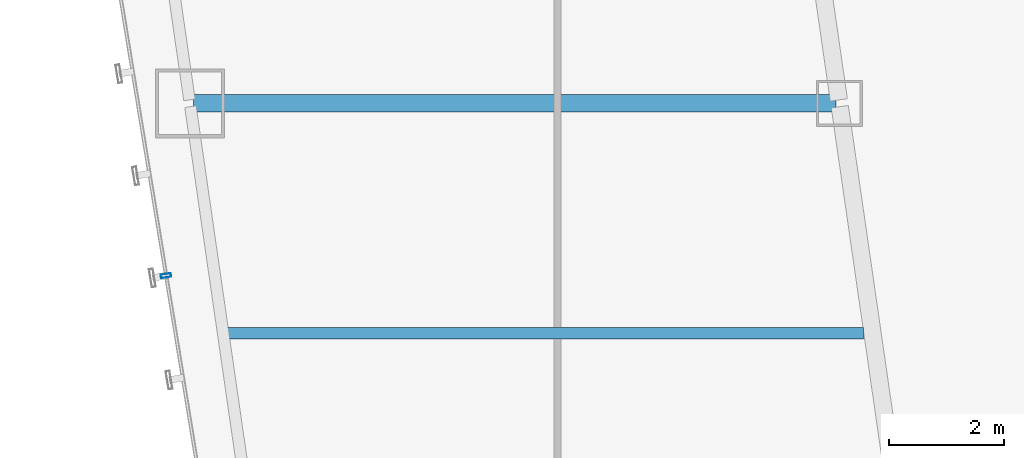
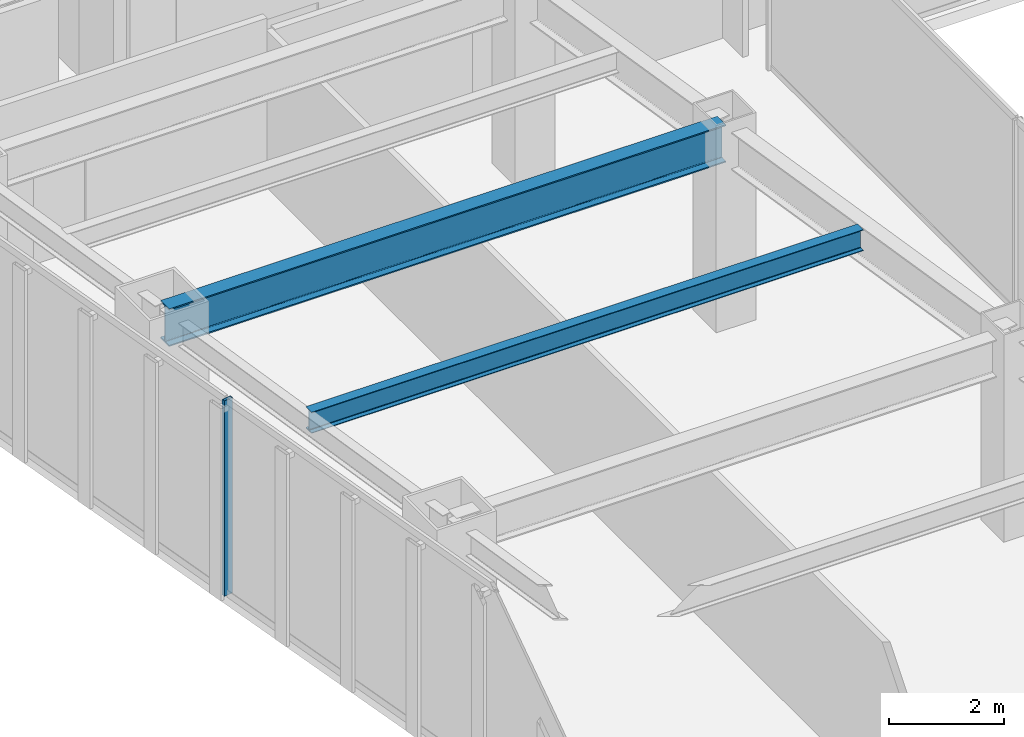
# One storey, part 11 of 47: 2 beams, 1 member, 1 element without a shape of its own.
"""IFC4 building model written with IfcOpenShell, lengths in metres."""

import ifcopenshell
import ifcopenshell.guid

model = None  # the IFC model being written
_history = None  # IfcOwnerHistory: only IFC2X3 demands one
_inside = {}  # id of a spatial element -> (the spatial element, [elements in it])
_under = {}  # id of a project, library or spatial element -> (it, [spatial elements below it])
_declared = {}  # id of a project -> (the project, [libraries it declares])
_typed = {}  # id of a type object -> (the type object, [elements of that type])
_made_of = {}  # id of a material, layer set ... -> (it, [elements and type objects made of it])


def new_model(schema):
    """Start an empty IFC model of exactly this schema.

    Asked for "IFC4X3", IfcOpenShell would pick the latest addendum, in which some entities
    have other attributes; the version numbers below select the first issue.
    IFC2X3 requires an IfcOwnerHistory on every rooted entity: one is made here for all.
    """
    global model, _history
    if schema == "IFC4X3":
        model = ifcopenshell.file(schema_version=(4, 3, 0, 0))
    else:
        model = ifcopenshell.file(schema=schema)
    _inside.clear()
    _under.clear()
    _declared.clear()
    _typed.clear()
    _made_of.clear()
    _history = None
    if model.schema == "IFC2X3":
        org = make("IfcOrganization", Name="unknown")
        user = make(
            "IfcPersonAndOrganization",
            ThePerson=make("IfcPerson", FamilyName="unknown"),
            TheOrganization=org,
        )
        app = make(
            "IfcApplication",
            ApplicationDeveloper=org,
            Version="unknown",
            ApplicationFullName="unknown",
            ApplicationIdentifier="unknown",
        )
        _history = make(
            "IfcOwnerHistory",
            OwningUser=user,
            OwningApplication=app,
            ChangeAction="ADDED",
            CreationDate=0,
        )
    return model


def make(cls, **values):
    """One entity of the class cls with the attributes given. An attribute that is None is left unset."""
    return model.create_entity(
        cls, **{name: value for name, value in values.items() if value is not None}
    )


def rooted(cls, **values):
    """An entity with a GlobalId (a new one), such as an element, a storey or a relation."""
    return make(cls, GlobalId=ifcopenshell.guid.new(), OwnerHistory=_history, **values)


def si_unit(unit_type, name, prefix=None):
    """IfcSIUnit, for example si_unit("LENGTHUNIT", "METRE", prefix="MILLI")."""
    return make("IfcSIUnit", UnitType=unit_type, Prefix=prefix, Name=name)


def assignment(units):
    """IfcUnitAssignment: the units of a project."""
    return None if units is None else make("IfcUnitAssignment", Units=units)


def point(xyz):
    """IfcCartesianPoint."""
    return None if xyz is None else make("IfcCartesianPoint", Coordinates=xyz)


def direction(xyz):
    """IfcDirection."""
    return None if xyz is None else make("IfcDirection", DirectionRatios=xyz)


def frame(location, z_axis=None, x_axis=None):
    """IfcAxis2Placement3D, a coordinate frame: its origin and axes. An axis left out is left unset."""
    return make(
        "IfcAxis2Placement3D",
        Location=point(location),
        Axis=direction(z_axis),
        RefDirection=direction(x_axis),
    )


def frame_2d(location, x_axis=None):
    """IfcAxis2Placement2D, a coordinate frame in the plane: its origin and x axis."""
    return make(
        "IfcAxis2Placement2D", Location=point(location), RefDirection=direction(x_axis)
    )


def origin():
    """The frame at (0, 0, 0) with its axes left unset."""
    return frame((0.0, 0.0, 0.0))


def origin_2d():
    """The frame at (0, 0) in the plane with its x axis left unset."""
    return frame_2d((0.0, 0.0))


def place(relative_to, where):
    """IfcLocalPlacement: puts the frame where relative to a parent placement (None: the world)."""
    return make(
        "IfcLocalPlacement", PlacementRelTo=relative_to, RelativePlacement=where
    )


def context(
    kind, dimensions, precision=None, world=None, true_north=None, identifier=None
):
    """IfcGeometricRepresentationContext, for example the 3D "Model" context."""
    return make(
        "IfcGeometricRepresentationContext",
        ContextIdentifier=identifier,
        ContextType=kind,
        CoordinateSpaceDimension=dimensions,
        Precision=precision,
        WorldCoordinateSystem=world,
        TrueNorth=true_north,
    )


def subcontext(parent, identifier, kind, view, scale=None):
    """IfcGeometricRepresentationSubContext, for example "Body" below "Model"."""
    return make(
        "IfcGeometricRepresentationSubContext",
        ContextIdentifier=identifier,
        ContextType=kind,
        ParentContext=parent,
        TargetScale=scale,
        TargetView=view,
    )


def project(units=None, contexts=None):
    """IfcProject with its units and contexts."""
    return rooted(
        "IfcProject",
        Name="project",
        RepresentationContexts=contexts,
        UnitsInContext=assignment(units),
    )


def spatial(cls, under=None, at=None, **own):
    """A site, building, storey or space (cls), placed at a placement, below another one or the project."""
    s = rooted(cls, ObjectPlacement=at, **own)
    if under is not None:
        _under.setdefault(under.id(), (under, []))[1].append(s)
    return s


def profile(cls, at=None, kind="AREA", **sizes):
    """A parametric profile (cls). Its sizes go by their IFC names, for example OverallWidth=200.0."""
    return make(cls, ProfileType=kind, Position=at, **sizes)


def hollow_rectangle(**sizes):
    """IfcRectangleHollowProfileDef."""
    return profile("IfcRectangleHollowProfileDef", **sizes)


def i_section(**sizes):
    """IfcIShapeProfileDef."""
    return profile("IfcIShapeProfileDef", **sizes)


def extrude(swept, where, along, depth):
    """IfcExtrudedAreaSolid: the profile swept, set in the frame where, extruded along a direction by depth."""
    return make(
        "IfcExtrudedAreaSolid",
        SweptArea=swept,
        Position=where,
        ExtrudedDirection=direction(along),
        Depth=depth,
    )


def shape(context_of_items, identifier, shape_type, items):
    """IfcShapeRepresentation: the items that make up one representation, for example the "Body"."""
    return make(
        "IfcShapeRepresentation",
        ContextOfItems=context_of_items,
        RepresentationIdentifier=identifier,
        RepresentationType=shape_type,
        Items=items,
    )


def material(Name=None, Category=None):
    """IfcMaterial."""
    return make("IfcMaterial", Name=Name, Category=Category)


def material_profile(
    of_material, cross_section, Name=None, Category=None, Priority=None
):
    """IfcMaterialProfile: a cross section and its material."""
    return make(
        "IfcMaterialProfile",
        Name=Name,
        Material=of_material,
        Profile=cross_section,
        Priority=Priority,
        Category=Category,
    )


def profile_set(profiles, Name=None, composite=None):
    """IfcMaterialProfileSet."""
    return make(
        "IfcMaterialProfileSet",
        Name=Name,
        MaterialProfiles=profiles,
        CompositeProfile=composite,
    )


def made_of(thing, what):
    """Note that an element or type object is made of a material, layer set ...; save() writes the relation."""
    if what is not None:
        _made_of.setdefault(what.id(), (what, []))[1].append(thing)
    return thing


def type_object(cls, material=None, **own):
    """A type object (cls), such as IfcWallType, which elements share."""
    return made_of(rooted(cls, **own), material)


def element(
    cls,
    number,
    at=None,
    inside=None,
    cuts=None,
    type_object=None,
    material=None,
    context=None,
    identifier="Body",
    shape_type=None,
    held_by="IfcProductDefinitionShape",
    body=None,
    shapes=None,
    **own,
):
    """One element of the class cls, such as IfcWall. Its Tag is "e" and its number.

    at: its placement. inside: the storey or other place that contains it. cuts: it is an
    opening in that element (IfcRelVoidsElement). A single representation is given by context,
    identifier, shape_type and body (its items); several are given by shapes. held_by: the class
    of the entity that holds the representations. save() writes the other relations.
    """
    e = rooted(cls, Tag="e%d" % number, ObjectPlacement=at, **own)
    if body is not None:
        shapes = [shape(context, identifier, shape_type, body)]
    if shapes is not None:
        e.Representation = make(held_by, Representations=shapes)
    if inside is not None:
        _inside.setdefault(inside.id(), (inside, []))[1].append(e)
    if cuts is not None:
        rooted(
            "IfcRelVoidsElement", RelatingBuildingElement=cuts, RelatedOpeningElement=e
        )
    if type_object is not None:
        _typed.setdefault(type_object.id(), (type_object, []))[1].append(e)
    return made_of(e, material)


def aggregate(whole, parts):
    """IfcRelAggregates: a whole, such as a stair, and the parts it consists of."""
    return rooted("IfcRelAggregates", RelatingObject=whole, RelatedObjects=parts)


def save(model, path):
    """Write the relations noted so far, then the file.

    IfcRelAggregates (storeys below a building ...), IfcRelContainedInSpatialStructure (elements
    in a storey), IfcRelDefinesByType, IfcRelAssociatesMaterial and IfcRelDeclares: one each for
    every whole, place, type object, material and project.
    """
    for whole, parts in _under.values():
        aggregate(whole, parts)
    for where, things in _inside.values():
        rooted(
            "IfcRelContainedInSpatialStructure",
            RelatedElements=things,
            RelatingStructure=where,
        )
    for kind, things in _typed.values():
        rooted("IfcRelDefinesByType", RelatedObjects=things, RelatingType=kind)
    for what, things in _made_of.values():
        rooted("IfcRelAssociatesMaterial", RelatedObjects=things, RelatingMaterial=what)
    for by, libraries in _declared.values():
        rooted("IfcRelDeclares", RelatingContext=by, RelatedDefinitions=libraries)
    model.write(path)


model = new_model("IFC4")

# Units and contexts
model_context = context("Model", 3, precision=1e-05, world=origin(), true_north=direction((0.0, 1.0)))
body_context = subcontext(model_context, "Body", "Model", "MODEL_VIEW")
ifc_project = project(units=[si_unit("LENGTHUNIT", "METRE"), si_unit("AREAUNIT", "SQUARE_METRE"), si_unit("VOLUMEUNIT", "CUBIC_METRE"), si_unit("PLANEANGLEUNIT", "RADIAN"), si_unit("MASSUNIT", "GRAM", prefix="KILO")], contexts=[model_context])

# Site, building, storey
site_placement = place(None, origin())
site = spatial("IfcSite", under=ifc_project, at=site_placement, CompositionType="ELEMENT")
building_placement = place(site_placement, origin())
building = spatial("IfcBuilding", under=site, at=building_placement, Name="Saevonmaru Cultural Tower", CompositionType="ELEMENT")
storey_placement = place(building_placement, frame((0.0, 0.0, 56.0)))
storey = spatial("IfcBuildingStorey", under=building, at=storey_placement, Name="L11", CompositionType="ELEMENT", Elevation=56.0)

# Beams
ifc_material_1 = material(Name="Steel SM420", Category="steel")
ifc_material_profile_1 = material_profile(ifc_material_1, i_section(OverallWidth=0.300048828125, OverallDepth=0.800048828125, WebThickness=0.013916015625, FlangeThickness=0.02587890625, FilletRadius=0.028076171875, at=origin_2d()), Name="H-800x300x14x26")
ifc_profile_set_1 = profile_set([ifc_material_profile_1], Name="Steel SM420")
beam_type_1 = type_object("IfcBeamType", Name="BM-G-H800", PredefinedType="BEAM", material=ifc_profile_set_1)
beam_1_placement = place(storey_placement, frame((8.376953125, 32.0, 3.75), z_axis=(1.0, 0.0, 0.0), x_axis=(0.0, 1.0, 0.0)))
element("IfcBeam", 1, at=beam_1_placement, inside=storey, type_object=beam_type_1, Name="L11 West Wing Transverse Girder 5", PredefinedType="BEAM", context=body_context, shape_type="SweptSolid", body=[
    extrude(i_section(OverallWidth=0.300048828125, OverallDepth=0.800048828125, WebThickness=0.013916015625, FlangeThickness=0.02587890625, FilletRadius=0.028076171875, at=origin_2d()), origin(), (0.0, 0.0, 1.0), 11.179931640625),
])
ifc_material_2 = material(Name="Steel SM355", Category="steel")
ifc_material_profile_2 = material_profile(ifc_material_2, i_section(OverallWidth=0.199951171875, OverallDepth=0.449951171875, WebThickness=0.009033203125, FlangeThickness=0.013916015625, FilletRadius=0.01806640625, at=origin_2d()), Name="H-450x200x9x14")
ifc_profile_set_2 = profile_set([ifc_material_profile_2], Name="Steel SM355")
beam_type_2 = type_object("IfcBeamType", Name="BM-J-H450", PredefinedType="JOIST", material=ifc_profile_set_2)
beam_2_placement = place(storey_placement, frame((8.95458984375, 28.0, 3.925048828125), z_axis=(1.0, 0.0, 0.0), x_axis=(0.0, 1.0, 0.0)))
element("IfcBeam", 2, at=beam_2_placement, inside=storey, type_object=beam_type_2, Name="L11 West Wing Floor Joist 4", PredefinedType="JOIST", context=body_context, shape_type="SweptSolid", body=[
    extrude(i_section(OverallWidth=0.199951171875, OverallDepth=0.449951171875, WebThickness=0.009033203125, FlangeThickness=0.013916015625, FilletRadius=0.01806640625, at=origin_2d()), origin(), (0.0, 0.0, 1.0), 11.08203125),
])

# Curtain wall, member
ifc_material_3 = material(Name="Satin Bronze Anodised Aluminium", Category="aluminium")
curtain_wall_type = type_object("IfcCurtainWallType", Name="CW-TYP-A", PredefinedType="NOTDEFINED", material=ifc_material_3)
curtain_wall_placement = place(storey_placement, origin())
curtain_wall = element("IfcCurtainWall", 3, at=curtain_wall_placement, inside=storey, type_object=curtain_wall_type, Name="L11 Unitised Curtain Wall E12", PredefinedType="NOTDEFINED")
ifc_material_profile_3 = material_profile(ifc_material_3, hollow_rectangle(XDim=0.06494140625, YDim=0.179931640625, WallThickness=0.00390625, at=origin_2d()), Name="ALU-MULL-180x65x4")
ifc_profile_set_3 = profile_set([ifc_material_profile_3], Name="Satin Bronze Anodised Aluminium")
member_type = type_object("IfcMemberType", Name="ML-CW-180x65", PredefinedType="MULLION", material=ifc_profile_set_3)
member_placement = place(storey_placement, frame((7.89990234375, 29.0, 0.0), z_axis=(0.0, 0.0, 1.0), x_axis=(0.161708868641, -0.986838508472, 0.0)))
member = element("IfcMember", 4, at=member_placement, type_object=member_type, Name="CW-TW-L11-E12 mullion 3", PredefinedType="MULLION", context=body_context, shape_type="SweptSolid", body=[
    extrude(hollow_rectangle(XDim=0.06494140625, YDim=0.179931640625, WallThickness=0.00390625, at=origin_2d()), origin(), (0.0, 0.0, 1.0), 4.14990234375),
])
aggregate(curtain_wall, [member])

save(model, "model.ifc")
